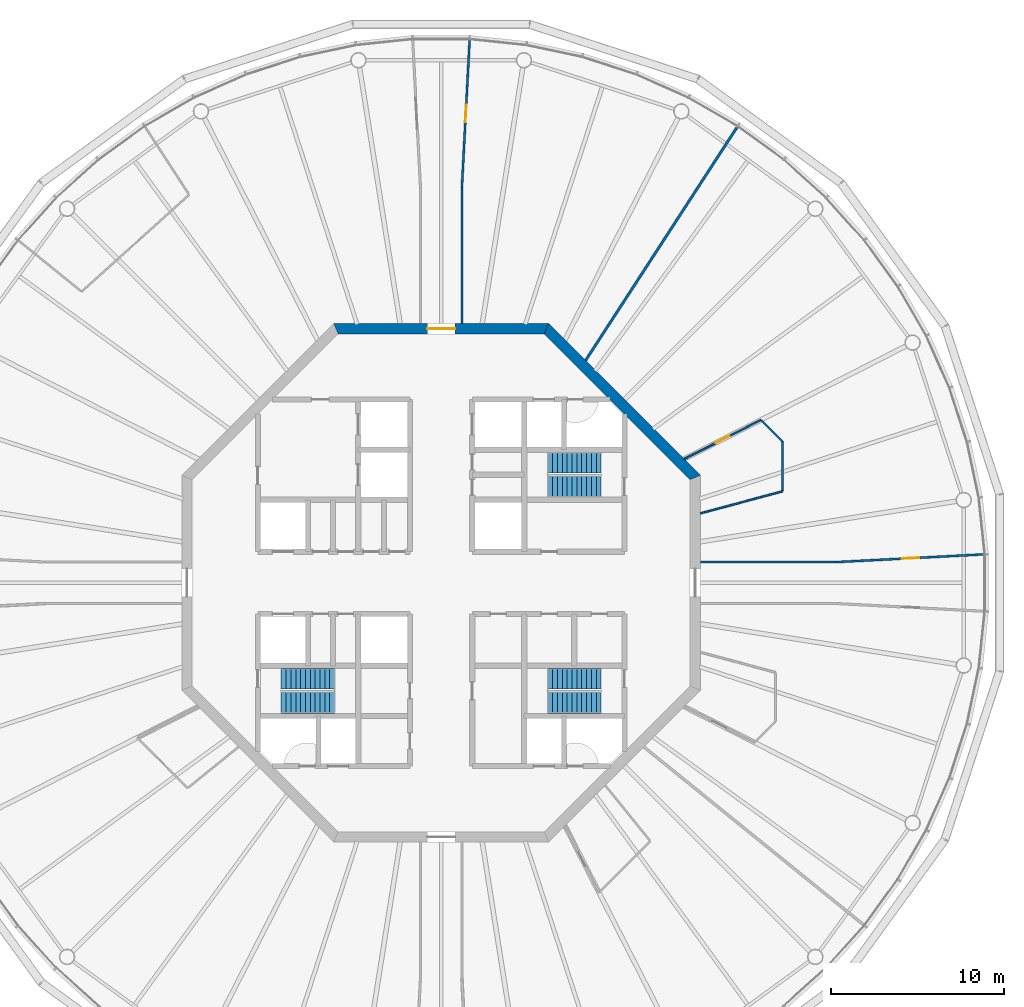
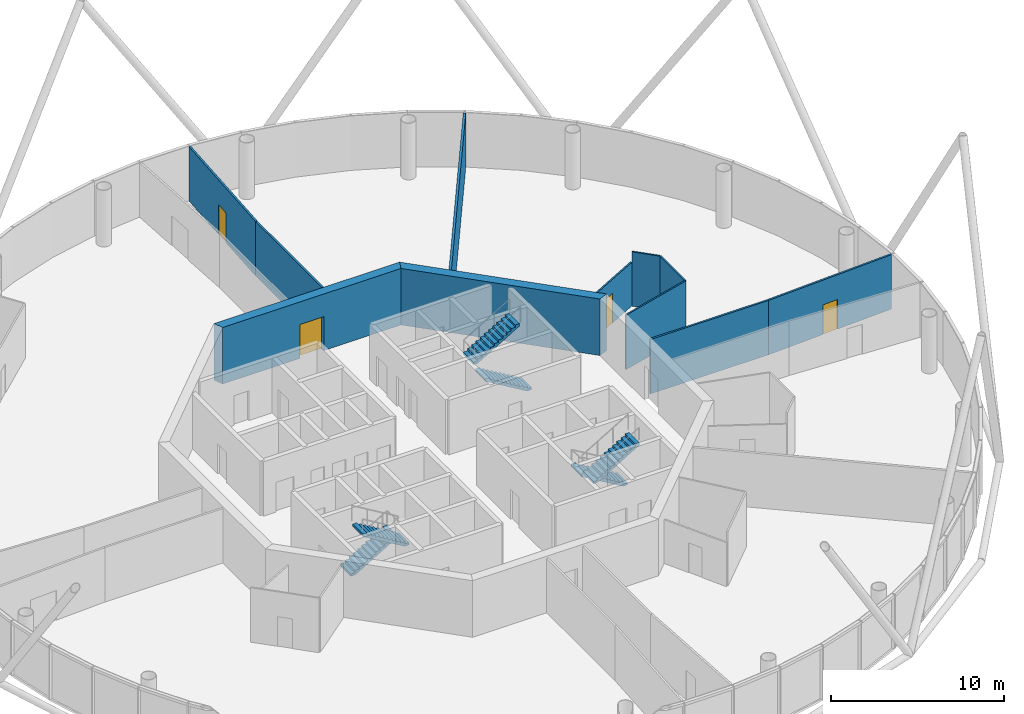
# One storey, part 6 of 13: 11 walls, 6 stair flights, 4 doors, 4 openings, 3 elements without a shape of their own.
"""IFC4 building model written with IfcOpenShell, lengths in metres."""

import ifcopenshell
import ifcopenshell.guid

model = None  # the IFC model being written
_history = None  # IfcOwnerHistory: only IFC2X3 demands one
_inside = {}  # id of a spatial element -> (the spatial element, [elements in it])
_under = {}  # id of a project, library or spatial element -> (it, [spatial elements below it])
_declared = {}  # id of a project -> (the project, [libraries it declares])
_typed = {}  # id of a type object -> (the type object, [elements of that type])
_made_of = {}  # id of a material, layer set ... -> (it, [elements and type objects made of it])


def new_model(schema):
    """Start an empty IFC model of exactly this schema.

    Asked for "IFC4X3", IfcOpenShell would pick the latest addendum, in which some entities
    have other attributes; the version numbers below select the first issue.
    IFC2X3 requires an IfcOwnerHistory on every rooted entity: one is made here for all.
    """
    global model, _history
    if schema == "IFC4X3":
        model = ifcopenshell.file(schema_version=(4, 3, 0, 0))
    else:
        model = ifcopenshell.file(schema=schema)
    _inside.clear()
    _under.clear()
    _declared.clear()
    _typed.clear()
    _made_of.clear()
    _history = None
    if model.schema == "IFC2X3":
        org = make("IfcOrganization", Name="unknown")
        user = make(
            "IfcPersonAndOrganization",
            ThePerson=make("IfcPerson", FamilyName="unknown"),
            TheOrganization=org,
        )
        app = make(
            "IfcApplication",
            ApplicationDeveloper=org,
            Version="unknown",
            ApplicationFullName="unknown",
            ApplicationIdentifier="unknown",
        )
        _history = make(
            "IfcOwnerHistory",
            OwningUser=user,
            OwningApplication=app,
            ChangeAction="ADDED",
            CreationDate=0,
        )
    return model


def make(cls, **values):
    """One entity of the class cls with the attributes given. An attribute that is None is left unset."""
    return model.create_entity(
        cls, **{name: value for name, value in values.items() if value is not None}
    )


def rooted(cls, **values):
    """An entity with a GlobalId (a new one), such as an element, a storey or a relation."""
    return make(cls, GlobalId=ifcopenshell.guid.new(), OwnerHistory=_history, **values)


def si_unit(unit_type, name, prefix=None):
    """IfcSIUnit, for example si_unit("LENGTHUNIT", "METRE", prefix="MILLI")."""
    return make("IfcSIUnit", UnitType=unit_type, Prefix=prefix, Name=name)


def assignment(units):
    """IfcUnitAssignment: the units of a project."""
    return None if units is None else make("IfcUnitAssignment", Units=units)


def point(xyz):
    """IfcCartesianPoint."""
    return None if xyz is None else make("IfcCartesianPoint", Coordinates=xyz)


def direction(xyz):
    """IfcDirection."""
    return None if xyz is None else make("IfcDirection", DirectionRatios=xyz)


def frame(location, z_axis=None, x_axis=None):
    """IfcAxis2Placement3D, a coordinate frame: its origin and axes. An axis left out is left unset."""
    return make(
        "IfcAxis2Placement3D",
        Location=point(location),
        Axis=direction(z_axis),
        RefDirection=direction(x_axis),
    )


def frame_2d(location, x_axis=None):
    """IfcAxis2Placement2D, a coordinate frame in the plane: its origin and x axis."""
    return make(
        "IfcAxis2Placement2D", Location=point(location), RefDirection=direction(x_axis)
    )


def origin():
    """The frame at (0, 0, 0) with its axes left unset."""
    return frame((0.0, 0.0, 0.0))


def place(relative_to, where):
    """IfcLocalPlacement: puts the frame where relative to a parent placement (None: the world)."""
    return make(
        "IfcLocalPlacement", PlacementRelTo=relative_to, RelativePlacement=where
    )


def context(
    kind, dimensions, precision=None, world=None, true_north=None, identifier=None
):
    """IfcGeometricRepresentationContext, for example the 3D "Model" context."""
    return make(
        "IfcGeometricRepresentationContext",
        ContextIdentifier=identifier,
        ContextType=kind,
        CoordinateSpaceDimension=dimensions,
        Precision=precision,
        WorldCoordinateSystem=world,
        TrueNorth=true_north,
    )


def subcontext(parent, identifier, kind, view, scale=None):
    """IfcGeometricRepresentationSubContext, for example "Body" below "Model"."""
    return make(
        "IfcGeometricRepresentationSubContext",
        ContextIdentifier=identifier,
        ContextType=kind,
        ParentContext=parent,
        TargetScale=scale,
        TargetView=view,
    )


def project(units=None, contexts=None):
    """IfcProject with its units and contexts."""
    return rooted(
        "IfcProject",
        Name="project",
        RepresentationContexts=contexts,
        UnitsInContext=assignment(units),
    )


def spatial(cls, under=None, at=None, **own):
    """A site, building, storey or space (cls), placed at a placement, below another one or the project."""
    s = rooted(cls, ObjectPlacement=at, **own)
    if under is not None:
        _under.setdefault(under.id(), (under, []))[1].append(s)
    return s


def polyline(points):
    """IfcPolyline through the points."""
    return make("IfcPolyline", Points=[point(p) for p in points])


def profile(cls, at=None, kind="AREA", **sizes):
    """A parametric profile (cls). Its sizes go by their IFC names, for example OverallWidth=200.0."""
    return make(cls, ProfileType=kind, Position=at, **sizes)


def rectangle(**sizes):
    """IfcRectangleProfileDef."""
    return profile("IfcRectangleProfileDef", **sizes)


def outline(outer, holes=None, kind="AREA"):
    """IfcArbitraryClosedProfileDef: a profile drawn as a closed curve; with holes, ...WithVoids."""
    if holes is None:
        return make("IfcArbitraryClosedProfileDef", ProfileType=kind, OuterCurve=outer)
    return make(
        "IfcArbitraryProfileDefWithVoids",
        ProfileType=kind,
        OuterCurve=outer,
        InnerCurves=holes,
    )


def extrude(swept, where, along, depth):
    """IfcExtrudedAreaSolid: the profile swept, set in the frame where, extruded along a direction by depth."""
    return make(
        "IfcExtrudedAreaSolid",
        SweptArea=swept,
        Position=where,
        ExtrudedDirection=direction(along),
        Depth=depth,
    )


def shape(context_of_items, identifier, shape_type, items):
    """IfcShapeRepresentation: the items that make up one representation, for example the "Body"."""
    return make(
        "IfcShapeRepresentation",
        ContextOfItems=context_of_items,
        RepresentationIdentifier=identifier,
        RepresentationType=shape_type,
        Items=items,
    )


def material(Name=None, Category=None):
    """IfcMaterial."""
    return make("IfcMaterial", Name=Name, Category=Category)


def layer(
    of_material, thickness, ventilated=None, Name=None, Category=None, Priority=None
):
    """IfcMaterialLayer: one layer of a wall or slab, of a material (None: an air gap)."""
    return make(
        "IfcMaterialLayer",
        Material=of_material,
        LayerThickness=thickness,
        IsVentilated=ventilated,
        Name=Name,
        Category=Category,
        Priority=Priority,
    )


def layer_set(layers, Name=None):
    """IfcMaterialLayerSet."""
    return make("IfcMaterialLayerSet", MaterialLayers=layers, LayerSetName=Name)


def made_of(thing, what):
    """Note that an element or type object is made of a material, layer set ...; save() writes the relation."""
    if what is not None:
        _made_of.setdefault(what.id(), (what, []))[1].append(thing)
    return thing


def type_object(cls, material=None, **own):
    """A type object (cls), such as IfcWallType, which elements share."""
    return made_of(rooted(cls, **own), material)


def element(
    cls,
    number,
    at=None,
    inside=None,
    cuts=None,
    type_object=None,
    material=None,
    context=None,
    identifier="Body",
    shape_type=None,
    held_by="IfcProductDefinitionShape",
    body=None,
    shapes=None,
    **own,
):
    """One element of the class cls, such as IfcWall. Its Tag is "e" and its number.

    at: its placement. inside: the storey or other place that contains it. cuts: it is an
    opening in that element (IfcRelVoidsElement). A single representation is given by context,
    identifier, shape_type and body (its items); several are given by shapes. held_by: the class
    of the entity that holds the representations. save() writes the other relations.
    """
    e = rooted(cls, Tag="e%d" % number, ObjectPlacement=at, **own)
    if body is not None:
        shapes = [shape(context, identifier, shape_type, body)]
    if shapes is not None:
        e.Representation = make(held_by, Representations=shapes)
    if inside is not None:
        _inside.setdefault(inside.id(), (inside, []))[1].append(e)
    if cuts is not None:
        rooted(
            "IfcRelVoidsElement", RelatingBuildingElement=cuts, RelatedOpeningElement=e
        )
    if type_object is not None:
        _typed.setdefault(type_object.id(), (type_object, []))[1].append(e)
    return made_of(e, material)


def fill(opening, filler):
    """IfcRelFillsElement: the door or window that sits in an opening."""
    return rooted(
        "IfcRelFillsElement",
        RelatingOpeningElement=opening,
        RelatedBuildingElement=filler,
    )


def aggregate(whole, parts):
    """IfcRelAggregates: a whole, such as a stair, and the parts it consists of."""
    return rooted("IfcRelAggregates", RelatingObject=whole, RelatedObjects=parts)


def save(model, path):
    """Write the relations noted so far, then the file.

    IfcRelAggregates (storeys below a building ...), IfcRelContainedInSpatialStructure (elements
    in a storey), IfcRelDefinesByType, IfcRelAssociatesMaterial and IfcRelDeclares: one each for
    every whole, place, type object, material and project.
    """
    for whole, parts in _under.values():
        aggregate(whole, parts)
    for where, things in _inside.values():
        rooted(
            "IfcRelContainedInSpatialStructure",
            RelatedElements=things,
            RelatingStructure=where,
        )
    for kind, things in _typed.values():
        rooted("IfcRelDefinesByType", RelatedObjects=things, RelatingType=kind)
    for what, things in _made_of.values():
        rooted("IfcRelAssociatesMaterial", RelatedObjects=things, RelatingMaterial=what)
    for by, libraries in _declared.values():
        rooted("IfcRelDeclares", RelatingContext=by, RelatedDefinitions=libraries)
    model.write(path)


model = new_model("IFC4")

# Units and contexts
model_context = context("Model", 3, precision=1e-05, world=origin(), true_north=direction((0.0, 1.0)))
body_context = subcontext(model_context, "Body", "Model", "MODEL_VIEW")
ifc_project = project(units=[si_unit("LENGTHUNIT", "METRE"), si_unit("AREAUNIT", "SQUARE_METRE"), si_unit("VOLUMEUNIT", "CUBIC_METRE"), si_unit("PLANEANGLEUNIT", "RADIAN"), si_unit("MASSUNIT", "GRAM", prefix="KILO")], contexts=[model_context])

# Site, building, storey
site_placement = place(None, origin())
site = spatial("IfcSite", under=ifc_project, at=site_placement, CompositionType="ELEMENT")
building_placement = place(site_placement, origin())
building = spatial("IfcBuilding", under=site, at=building_placement, Name="Entoto Ring Tower", CompositionType="ELEMENT")
storey_placement = place(building_placement, frame((0.0, 0.0, 356.0)))
storey = spatial("IfcBuildingStorey", under=building, at=storey_placement, Name="L82", CompositionType="ELEMENT", Elevation=356.0)

# Wall
ifc_material_1 = material(Name="Concrete C40/50", Category="concrete")
ifc_layer_1 = layer(ifc_material_1, 0.60009765625)
ifc_layer_set_1 = layer_set([ifc_layer_1], Name="Concrete C40/50")
wall_type_1 = type_object("IfcWallType", Name="Core shear wall 600 mm reinforced concrete C40/50", PredefinedType="SHEAR", material=ifc_layer_set_1)
wall_1_placement = place(storey_placement, frame((104.699951171875, 86.0888671875, 0.0), z_axis=(0.0, 0.0, 1.0), x_axis=(-0.707106781187, 0.707106781187, 0.0)))
element("IfcWall", 1, at=wall_1_placement, inside=storey, type_object=wall_type_1, Name="wall-L82-core-1", PredefinedType="SHEAR", context=body_context, shape_type="SweptSolid", body=[
    extrude(outline(polyline([(-0.124267578125, -0.300048828125), (12.30224609375, -0.300048828125), (12.0537109375, 0.300048828125), (0.124267578125, 0.300048828125), (-0.124267578125, -0.300048828125)])), origin(), (0.0, 0.0, 1.0), 4.0),
])

# Wall, opening, door
wall_2_placement = place(storey_placement, frame((96.0888671875, 94.699951171875, 0.0), z_axis=(0.0, 0.0, 1.0), x_axis=(-1.0, 0.0, 0.0)))
wall_2 = element("IfcWall", 2, at=wall_2_placement, inside=storey, type_object=wall_type_1, Name="wall-L82-core-2", PredefinedType="SHEAR", context=body_context, shape_type="SweptSolid", body=[
    extrude(outline(polyline([(-0.124267578125, -0.300048828125), (12.302001953125, -0.300048828125), (12.053466796875, 0.300048828125), (0.124267578125, 0.300048828125), (-0.124267578125, -0.300048828125)])), origin(), (0.0, 0.0, 1.0), 4.0),
])
opening_1_placement = place(wall_2_placement, frame((5.288818359375, 0.0, 0.0)))
opening_1 = element("IfcOpeningElement", 3, at=opening_1_placement, cuts=wall_2, Name="Opening K-02", PredefinedType="OPENING", context=body_context, shape_type="SweptSolid", body=[
    extrude(rectangle(XDim=1.60009765625, YDim=2.39990234375, at=frame_2d((0.800048828125, 1.199951171875))), frame((0.0, 0.31005859375, 0.0), z_axis=(0.0, -1.0, 0.0), x_axis=(1.0, 0.0, 0.0)), (0.0, 0.0, 1.0), 0.6201171875),
])
ifc_material_2 = material(Name="Steel door leaf, fire rated", Category="steel")
ifc_layer_2 = layer(ifc_material_2, 0.050048828125)
ifc_layer_set_2 = layer_set([ifc_layer_2], Name="Steel door leaf, fire rated")
door_type_1 = type_object("IfcDoorType", Name="Entrance door FD60 1600 x 2400 double leaf", OperationType="DOUBLE_DOOR_SINGLE_SWING", PredefinedType="DOOR", material=ifc_layer_set_2)
door_1_placement = place(opening_1_placement, origin())
door_1 = element("IfcDoor", 4, at=door_1_placement, inside=storey, type_object=door_type_1, Name="Entrance door K-02", OperationType="DOUBLE_DOOR_SINGLE_SWING", OverallHeight=2.39990234375, OverallWidth=1.60009765625, PredefinedType="DOOR", context=body_context, shape_type="SweptSolid", body=[
    extrude(rectangle(XDim=1.60009765625, YDim=2.39990234375, at=frame_2d((0.800048828125, 1.199951171875))), frame((0.0, 0.02490234375, 0.0), z_axis=(0.0, -1.0, 0.0), x_axis=(1.0, 0.0, 0.0)), (0.0, 0.0, 1.0), 0.050048828125),
])
fill(opening_1, door_1)

ifc_material_3 = material(Name="Fire-resisting plasterboard on steel studs", Category="steel")
ifc_layer_3 = layer(ifc_material_3, 0.125)
ifc_layer_set_3 = layer_set([ifc_layer_3], Name="Fire-resisting plasterboard on steel studs")
wall_type_2 = type_object("IfcWallType", Name="Corridor wall 125 mm one-hour plasterboard on steel studs", PredefinedType="PARTITIONING", material=ifc_layer_set_3)
wall_3_placement = place(storey_placement, frame((91.199951171875, 102.8974609375, 0.0), z_axis=(0.0, 0.0, 1.0), x_axis=(0.05234956051, 0.998628821692, 0.0)))
wall_3 = element("IfcWall", 5, at=wall_3_placement, inside=storey, type_object=wall_type_2, Name="partition-L82-005", PredefinedType="PARTITIONING", context=body_context, shape_type="SweptSolid", body=[
    extrude(rectangle(XDim=8.51123046875, YDim=0.125, at=frame_2d((4.255615234375, 0.0))), origin(), (0.0, 0.0, 1.0), 3.85009765625),
])
opening_2_placement = place(wall_3_placement, frame((3.755615234375, 0.0, 0.0)))
opening_2 = element("IfcOpeningElement", 6, at=opening_2_placement, cuts=wall_3, Name="Opening A35-D03", PredefinedType="OPENING", context=body_context, shape_type="SweptSolid", body=[
    extrude(rectangle(XDim=1.0, YDim=2.10009765625, at=frame_2d((0.5, 1.050048828125))), frame((0.0, 0.072509765625, 0.0), z_axis=(0.0, -1.0, 0.0), x_axis=(1.0, 0.0, 0.0)), (0.0, 0.0, 1.0), 0.14501953125),
])
ifc_material_4 = material(Name="Fire-resisting timber door set", Category="wood")
door_type_2 = type_object("IfcDoorType", Name="Door 1000 x 2100 single leaf FD30S fire door", OperationType="NOTDEFINED", PredefinedType="DOOR", material=ifc_material_4)
door_2_placement = place(opening_2_placement, frame((1.0, 0.0, 0.0), z_axis=(0.0, 0.0, 1.0), x_axis=(-1.0, 0.0, 0.0)))
door_2 = element("IfcDoor", 7, at=door_2_placement, inside=storey, type_object=door_type_2, Name="Door A35-D03", OperationType="SINGLE_SWING_LEFT", OverallHeight=2.10009765625, OverallWidth=1.0, PredefinedType="DOOR", context=body_context, shape_type="SweptSolid", body=[
    extrude(rectangle(XDim=1.0, YDim=2.10009765625, at=frame_2d((0.5, 1.050048828125))), frame((0.0, 0.02490234375, 0.0), z_axis=(0.0, -1.0, 0.0), x_axis=(1.0, 0.0, 0.0)), (0.0, 0.0, 1.0), 0.050048828125),
])
fill(opening_2, door_2)

wall_4_placement = place(storey_placement, frame((112.8974609375, 81.199951171875, 0.0), z_axis=(0.0, 0.0, 1.0), x_axis=(0.998628821692, 0.05234956051, 0.0)))
wall_4 = element("IfcWall", 8, at=wall_4_placement, inside=storey, type_object=wall_type_2, Name="partition-L82-007", PredefinedType="PARTITIONING", context=body_context, shape_type="SweptSolid", body=[
    extrude(rectangle(XDim=8.51123046875, YDim=0.125, at=frame_2d((4.255615234375, 0.0))), origin(), (0.0, 0.0, 1.0), 3.85009765625),
])
opening_3_placement = place(wall_4_placement, frame((3.755615234375, 0.0, 0.0)))
opening_3 = element("IfcOpeningElement", 9, at=opening_3_placement, cuts=wall_4, Name="Opening A35-D01", PredefinedType="OPENING", context=body_context, shape_type="SweptSolid", body=[
    extrude(rectangle(XDim=1.0, YDim=2.10009765625, at=frame_2d((0.5, 1.050048828125))), frame((0.0, 0.072509765625, 0.0), z_axis=(0.0, -1.0, 0.0), x_axis=(1.0, 0.0, 0.0)), (0.0, 0.0, 1.0), 0.14501953125),
])
door_3_placement = place(opening_3_placement, origin())
door_3 = element("IfcDoor", 10, at=door_3_placement, inside=storey, type_object=door_type_2, Name="Door A35-D01", OperationType="SINGLE_SWING_RIGHT", OverallHeight=2.10009765625, OverallWidth=1.0, PredefinedType="DOOR", context=body_context, shape_type="SweptSolid", body=[
    extrude(rectangle(XDim=1.0, YDim=2.10009765625, at=frame_2d((0.5, 1.050048828125))), frame((0.0, 0.02490234375, 0.0), z_axis=(0.0, -1.0, 0.0), x_axis=(1.0, 0.0, 0.0)), (0.0, 0.0, 1.0), 0.050048828125),
])
fill(opening_3, door_3)

# Walls
for number, where, z_axis, x_axis, name in (
    (11, (91.199951171875, 95.0, 0.0), (0.0, 0.0, 1.0), (0.0, 1.0, 0.0), "partition-L82-014"),
    (12, (105.0, 81.199951171875, 0.0), (0.0, 0.0, 1.0), (1.0, 0.0, 0.0), "partition-L82-016"),
):
    element("IfcWall", number, at=place(storey_placement, frame(where, z_axis=z_axis, x_axis=x_axis)), inside=storey, type_object=wall_type_2, Name=name, PredefinedType="PARTITIONING", context=body_context, shape_type="SweptSolid", body=[
        extrude(rectangle(XDim=7.89404296875, YDim=0.125, at=frame_2d((3.947021484375, 0.0))), origin(), (0.0, 0.0, 1.0), 3.85009765625),
    ])
ifc_material_5 = material(Name="Plasterboard on steel studs", Category="steel")
ifc_layer_4 = layer(ifc_material_5, 0.10009765625)
ifc_layer_set_4 = layer_set([ifc_layer_4], Name="Plasterboard on steel studs")
wall_type_3 = type_object("IfcWallType", Name="Partition 100 mm plasterboard on steel studs", PredefinedType="PARTITIONING", material=ifc_layer_set_4)
wall_5_placement = place(storey_placement, frame((105.0, 84.019287109375, 0.0), z_axis=(0.0, 0.0, 1.0), x_axis=(0.965928731366, 0.258808202965, 0.0)))
element("IfcWall", 13, at=wall_5_placement, inside=storey, type_object=wall_type_3, Name="partition-L82-021", PredefinedType="PARTITIONING", context=body_context, shape_type="SweptSolid", body=[
    extrude(rectangle(XDim=4.9072265625, YDim=0.10009765625, at=frame_2d((2.45361328125, 0.0))), origin(), (0.0, 0.0, 1.0), 3.85009765625),
])
wall_6_placement = place(storey_placement, frame((109.739990234375, 85.33740234375, 0.0), z_axis=(0.0, 0.0, 1.0), x_axis=(0.0, 1.0, 0.0)))
element("IfcWall", 14, at=wall_6_placement, inside=storey, type_object=wall_type_3, Name="partition-L82-032", PredefinedType="PARTITIONING", context=body_context, shape_type="SweptSolid", body=[
    extrude(rectangle(XDim=2.839111328125, YDim=0.10009765625, at=frame_2d((1.41943359375, 0.0))), origin(), (0.0, 0.0, 1.0), 3.85009765625),
])
wall_7_placement = place(storey_placement, frame((109.715087890625, 88.201416015625, 0.0), z_axis=(0.0, 0.0, 1.0), x_axis=(-0.707106781187, 0.707106781187, 0.0)))
element("IfcWall", 15, at=wall_7_placement, inside=storey, type_object=wall_type_3, Name="partition-L82-034", PredefinedType="PARTITIONING", context=body_context, shape_type="SweptSolid", body=[
    extrude(rectangle(XDim=1.68017578125, YDim=0.10009765625, at=frame_2d((0.840087890625, 0.0))), origin(), (0.0, 0.0, 1.0), 3.85009765625),
])

# Wall, opening, door
ifc_material_6 = material(Name="Plasterboard on steel studs", Category="steel")
ifc_layer_5 = layer(ifc_material_6, 0.10009765625)
ifc_layer_set_5 = layer_set([ifc_layer_5], Name="Plasterboard on steel studs")
wall_type_4 = type_object("IfcWallType", Name="Partition 100 mm plasterboard on steel studs, 3097 mm high", PredefinedType="PARTITIONING", material=ifc_layer_set_5)
wall_8_placement = place(storey_placement, frame((104.052978515625, 87.160400390625, 0.0), z_axis=(0.0, 0.0, 1.0), x_axis=(0.891001736815, 0.453999895366, 0.0)))
wall_8 = element("IfcWall", 16, at=wall_8_placement, inside=storey, type_object=wall_type_4, Name="partition-L82-020", PredefinedType="PARTITIONING", context=body_context, shape_type="SweptSolid", body=[
    extrude(rectangle(XDim=4.98388671875, YDim=0.10009765625, at=frame_2d((2.491943359375, 0.0))), origin(), (0.0, 0.0, 1.0), 3.096923828125),
])
opening_4_placement = place(wall_8_placement, frame((2.0419921875, 0.0, 0.0)))
opening_4 = element("IfcOpeningElement", 17, at=opening_4_placement, cuts=wall_8, Name="Opening A35-D02", PredefinedType="OPENING", context=body_context, shape_type="SweptSolid", body=[
    extrude(rectangle(XDim=0.89990234375, YDim=2.10009765625, at=frame_2d((0.449951171875, 1.050048828125))), frame((0.0, 0.06005859375, 0.0), z_axis=(0.0, -1.0, 0.0), x_axis=(1.0, 0.0, 0.0)), (0.0, 0.0, 1.0), 0.1201171875),
])
ifc_material_7 = material(Name="Veneered timber door leaf in timber frame", Category="wood")
door_type_3 = type_object("IfcDoorType", Name="Door 900 x 2100 single leaf timber veneer", OperationType="NOTDEFINED", PredefinedType="DOOR", material=ifc_material_7)
door_4_placement = place(opening_4_placement, frame((0.89990234375, 0.0, 0.0), z_axis=(0.0, 0.0, 1.0), x_axis=(-1.0, 0.0, 0.0)))
door_4 = element("IfcDoor", 18, at=door_4_placement, inside=storey, type_object=door_type_3, Name="Door A35-D02", OperationType="SINGLE_SWING_RIGHT", OverallHeight=2.10009765625, OverallWidth=0.89990234375, PredefinedType="DOOR", context=body_context, shape_type="SweptSolid", body=[
    extrude(rectangle(XDim=0.89990234375, YDim=2.10009765625, at=frame_2d((0.449951171875, 1.050048828125))), frame((0.0, 0.02490234375, 0.0), z_axis=(0.0, -1.0, 0.0), x_axis=(1.0, 0.0, 0.0)), (0.0, 0.0, 1.0), 0.050048828125),
])
fill(opening_4, door_4)

# Wall
ifc_material_8 = material(Name="Fire-resisting acoustic plasterboard on steel studs", Category="steel")
ifc_layer_6 = layer(ifc_material_8, 0.14990234375)
ifc_layer_set_6 = layer_set([ifc_layer_6], Name="Fire-resisting acoustic plasterboard on steel studs")
wall_type_5 = type_object("IfcWallType", Name="Party wall 150 mm one-hour acoustic plasterboard on steel studs", PredefinedType="PARTITIONING", material=ifc_layer_set_6)
wall_9_placement = place(storey_placement, frame((98.35205078125, 92.861083984375, 0.0), z_axis=(0.0, 0.0, 1.0), x_axis=(0.54464089364, 0.838669360937, 0.0)))
element("IfcWall", 19, at=wall_9_placement, inside=storey, type_object=wall_type_5, Name="partition-L82-018", PredefinedType="PARTITIONING", context=body_context, shape_type="SweptSolid", body=[
    extrude(rectangle(XDim=16.10498046875, YDim=0.14990234375, at=frame_2d((8.052490234375, 0.0))), origin(), (0.0, 0.0, 1.0), 3.85009765625),
])

# Stair, stair flights
ifc_material_9 = material(Name="Concrete C40/50", Category="concrete")
stair_type = type_object("IfcStairType", Name="Exit stair 1200 mm dog-leg reinforced concrete", PredefinedType="HALF_TURN_STAIR", material=ifc_material_9)
stair_1_placement = place(storey_placement, origin())
stair_1 = element("IfcStair", 20, at=stair_1_placement, inside=storey, type_object=stair_type, Name="Exit stair 1", PredefinedType="HALF_TURN_STAIR")
ifc_material_10 = material(Name="Concrete C40/50", Category="concrete")
stair_flight_type = type_object("IfcStairFlightType", Name="Stair flight 1200 mm reinforced concrete", PredefinedType="STRAIGHT", material=ifc_material_10)
stair_flight_1_placement = place(storey_placement, frame((99.25, 85.550048828125, 0.0), z_axis=(0.0, 0.0, 1.0), x_axis=(-1.0, 0.0, 0.0)))
stair_flight_1 = element("IfcStairFlight", 21, at=stair_flight_1_placement, type_object=stair_flight_type, Name="ST1 flight 1", NumberOfRisers=12, NumberOfTreads=11, PredefinedType="STRAIGHT", RiserHeight=0.166666667, TreadLength=0.28, context=body_context, shape_type="SweptSolid", body=[
    extrude(outline(polyline([(0.0, 0.0), (0.0, 0.166748046875), (0.280029296875, 0.166748046875), (0.280029296875, 0.333251953125), (0.56005859375, 0.333251953125), (0.56005859375, 0.5), (0.840087890625, 0.5), (0.840087890625, 0.666748046875), (1.1201171875, 0.666748046875), (1.1201171875, 0.833251953125), (1.39990234375, 0.833251953125), (1.39990234375, 1.0), (1.679931640625, 1.0), (1.679931640625, 1.166748046875), (1.9599609375, 1.166748046875), (1.9599609375, 1.333251953125), (2.239990234375, 1.333251953125), (2.239990234375, 1.5), (2.52001953125, 1.5), (2.52001953125, 1.666748046875), (2.800048828125, 1.666748046875), (2.800048828125, 1.833251953125), (3.080078125, 1.833251953125), (3.080078125, 2.0), (3.080078125, 1.658935546875), (0.29296875, 0.0), (0.0, 0.0)])), frame((0.0, 0.60009765625, 0.0), z_axis=(0.0, -1.0, 0.0), x_axis=(1.0, 0.0, 0.0)), (0.0, 0.0, 1.0), 1.199951171875),
])
stair_flight_2_placement = place(storey_placement, frame((96.169921875, 86.949951171875, 2.0), z_axis=(0.0, 0.0, 1.0), x_axis=(1.0, 0.0, 0.0)))
stair_flight_2 = element("IfcStairFlight", 22, at=stair_flight_2_placement, type_object=stair_flight_type, Name="ST1 flight 2", NumberOfRisers=12, NumberOfTreads=11, PredefinedType="STRAIGHT", RiserHeight=0.166666667, TreadLength=0.28, context=body_context, shape_type="SweptSolid", body=[
    extrude(outline(polyline([(0.0, 0.0), (0.0, 0.166748046875), (0.280029296875, 0.166748046875), (0.280029296875, 0.333251953125), (0.56005859375, 0.333251953125), (0.56005859375, 0.5), (0.840087890625, 0.5), (0.840087890625, 0.666748046875), (1.1201171875, 0.666748046875), (1.1201171875, 0.833251953125), (1.39990234375, 0.833251953125), (1.39990234375, 1.0), (1.679931640625, 1.0), (1.679931640625, 1.166748046875), (1.9599609375, 1.166748046875), (1.9599609375, 1.333251953125), (2.239990234375, 1.333251953125), (2.239990234375, 1.5), (2.52001953125, 1.5), (2.52001953125, 1.666748046875), (2.800048828125, 1.666748046875), (2.800048828125, 1.833251953125), (3.080078125, 1.833251953125), (3.080078125, 2.0), (3.080078125, 1.658935546875), (0.29296875, 0.0), (0.0, 0.0)])), frame((0.0, 0.60009765625, 0.0), z_axis=(0.0, -1.0, 0.0), x_axis=(1.0, 0.0, 0.0)), (0.0, 0.0, 1.0), 1.199951171875),
])
aggregate(stair_1, [stair_flight_1, stair_flight_2])

stair_2_placement = place(storey_placement, origin())
stair_2 = element("IfcStair", 23, at=stair_2_placement, inside=storey, type_object=stair_type, Name="Exit stair 2", PredefinedType="HALF_TURN_STAIR")
stair_flight_3_placement = place(storey_placement, frame((80.75, 74.449951171875, 0.0), z_axis=(0.0, 0.0, 1.0), x_axis=(1.0, 0.0, 0.0)))
stair_flight_3 = element("IfcStairFlight", 24, at=stair_flight_3_placement, type_object=stair_flight_type, Name="ST2 flight 1", NumberOfRisers=12, NumberOfTreads=11, PredefinedType="STRAIGHT", RiserHeight=0.166666667, TreadLength=0.28, context=body_context, shape_type="SweptSolid", body=[
    extrude(outline(polyline([(0.0, 0.0), (0.0, 0.166748046875), (0.280029296875, 0.166748046875), (0.280029296875, 0.333251953125), (0.56005859375, 0.333251953125), (0.56005859375, 0.5), (0.840087890625, 0.5), (0.840087890625, 0.666748046875), (1.1201171875, 0.666748046875), (1.1201171875, 0.833251953125), (1.39990234375, 0.833251953125), (1.39990234375, 1.0), (1.679931640625, 1.0), (1.679931640625, 1.166748046875), (1.9599609375, 1.166748046875), (1.9599609375, 1.333251953125), (2.239990234375, 1.333251953125), (2.239990234375, 1.5), (2.52001953125, 1.5), (2.52001953125, 1.666748046875), (2.800048828125, 1.666748046875), (2.800048828125, 1.833251953125), (3.080078125, 1.833251953125), (3.080078125, 2.0), (3.080078125, 1.658935546875), (0.29296875, 0.0), (0.0, 0.0)])), frame((0.0, 0.60009765625, 0.0), z_axis=(0.0, -1.0, 0.0), x_axis=(1.0, 0.0, 0.0)), (0.0, 0.0, 1.0), 1.199951171875),
])
stair_flight_4_placement = place(storey_placement, frame((83.830078125, 73.050048828125, 2.0), z_axis=(0.0, 0.0, 1.0), x_axis=(-1.0, 0.0, 0.0)))
stair_flight_4 = element("IfcStairFlight", 25, at=stair_flight_4_placement, type_object=stair_flight_type, Name="ST2 flight 2", NumberOfRisers=12, NumberOfTreads=11, PredefinedType="STRAIGHT", RiserHeight=0.166666667, TreadLength=0.28, context=body_context, shape_type="SweptSolid", body=[
    extrude(outline(polyline([(0.0, 0.0), (0.0, 0.166748046875), (0.280029296875, 0.166748046875), (0.280029296875, 0.333251953125), (0.56005859375, 0.333251953125), (0.56005859375, 0.5), (0.840087890625, 0.5), (0.840087890625, 0.666748046875), (1.1201171875, 0.666748046875), (1.1201171875, 0.833251953125), (1.39990234375, 0.833251953125), (1.39990234375, 1.0), (1.679931640625, 1.0), (1.679931640625, 1.166748046875), (1.9599609375, 1.166748046875), (1.9599609375, 1.333251953125), (2.239990234375, 1.333251953125), (2.239990234375, 1.5), (2.52001953125, 1.5), (2.52001953125, 1.666748046875), (2.800048828125, 1.666748046875), (2.800048828125, 1.833251953125), (3.080078125, 1.833251953125), (3.080078125, 2.0), (3.080078125, 1.658935546875), (0.29296875, 0.0), (0.0, 0.0)])), frame((0.0, 0.60009765625, 0.0), z_axis=(0.0, -1.0, 0.0), x_axis=(1.0, 0.0, 0.0)), (0.0, 0.0, 1.0), 1.199951171875),
])
aggregate(stair_2, [stair_flight_3, stair_flight_4])

stair_3_placement = place(storey_placement, origin())
stair_3 = element("IfcStair", 26, at=stair_3_placement, inside=storey, type_object=stair_type, Name="Exit stair 3", PredefinedType="HALF_TURN_STAIR")
stair_flight_5_placement = place(storey_placement, frame((99.25, 74.449951171875, 0.0), z_axis=(0.0, 0.0, 1.0), x_axis=(-1.0, 0.0, 0.0)))
stair_flight_5 = element("IfcStairFlight", 27, at=stair_flight_5_placement, type_object=stair_flight_type, Name="ST3 flight 1", NumberOfRisers=12, NumberOfTreads=11, PredefinedType="STRAIGHT", RiserHeight=0.166666667, TreadLength=0.28, context=body_context, shape_type="SweptSolid", body=[
    extrude(outline(polyline([(0.0, 0.0), (0.0, 0.166748046875), (0.280029296875, 0.166748046875), (0.280029296875, 0.333251953125), (0.56005859375, 0.333251953125), (0.56005859375, 0.5), (0.840087890625, 0.5), (0.840087890625, 0.666748046875), (1.1201171875, 0.666748046875), (1.1201171875, 0.833251953125), (1.39990234375, 0.833251953125), (1.39990234375, 1.0), (1.679931640625, 1.0), (1.679931640625, 1.166748046875), (1.9599609375, 1.166748046875), (1.9599609375, 1.333251953125), (2.239990234375, 1.333251953125), (2.239990234375, 1.5), (2.52001953125, 1.5), (2.52001953125, 1.666748046875), (2.800048828125, 1.666748046875), (2.800048828125, 1.833251953125), (3.080078125, 1.833251953125), (3.080078125, 2.0), (3.080078125, 1.658935546875), (0.29296875, 0.0), (0.0, 0.0)])), frame((0.0, 0.60009765625, 0.0), z_axis=(0.0, -1.0, 0.0), x_axis=(1.0, 0.0, 0.0)), (0.0, 0.0, 1.0), 1.199951171875),
])
stair_flight_6_placement = place(storey_placement, frame((96.169921875, 73.050048828125, 2.0), z_axis=(0.0, 0.0, 1.0), x_axis=(1.0, 0.0, 0.0)))
stair_flight_6 = element("IfcStairFlight", 28, at=stair_flight_6_placement, type_object=stair_flight_type, Name="ST3 flight 2", NumberOfRisers=12, NumberOfTreads=11, PredefinedType="STRAIGHT", RiserHeight=0.166666667, TreadLength=0.28, context=body_context, shape_type="SweptSolid", body=[
    extrude(outline(polyline([(0.0, 0.0), (0.0, 0.166748046875), (0.280029296875, 0.166748046875), (0.280029296875, 0.333251953125), (0.56005859375, 0.333251953125), (0.56005859375, 0.5), (0.840087890625, 0.5), (0.840087890625, 0.666748046875), (1.1201171875, 0.666748046875), (1.1201171875, 0.833251953125), (1.39990234375, 0.833251953125), (1.39990234375, 1.0), (1.679931640625, 1.0), (1.679931640625, 1.166748046875), (1.9599609375, 1.166748046875), (1.9599609375, 1.333251953125), (2.239990234375, 1.333251953125), (2.239990234375, 1.5), (2.52001953125, 1.5), (2.52001953125, 1.666748046875), (2.800048828125, 1.666748046875), (2.800048828125, 1.833251953125), (3.080078125, 1.833251953125), (3.080078125, 2.0), (3.080078125, 1.658935546875), (0.29296875, 0.0), (0.0, 0.0)])), frame((0.0, 0.60009765625, 0.0), z_axis=(0.0, -1.0, 0.0), x_axis=(1.0, 0.0, 0.0)), (0.0, 0.0, 1.0), 1.199951171875),
])
aggregate(stair_3, [stair_flight_5, stair_flight_6])

save(model, "model.ifc")
